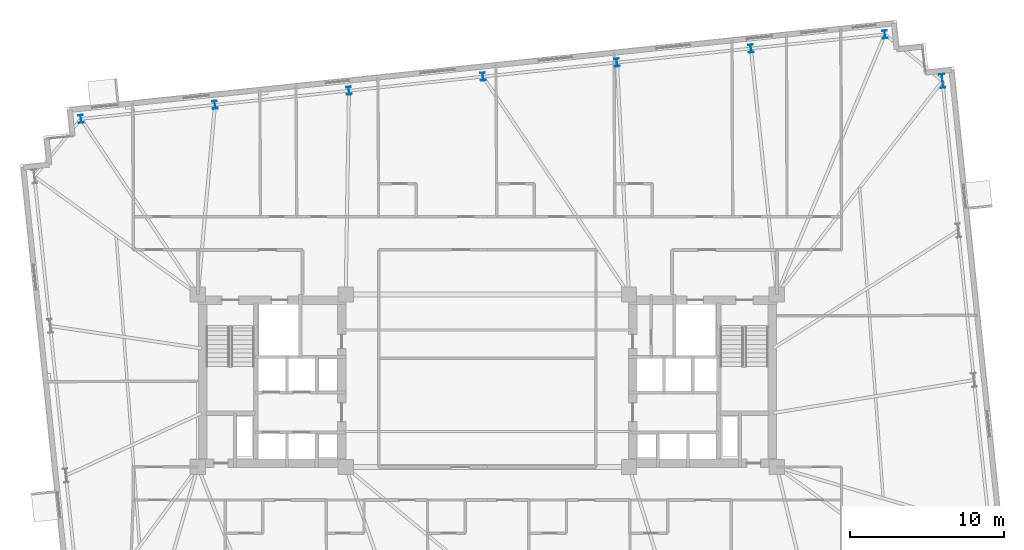
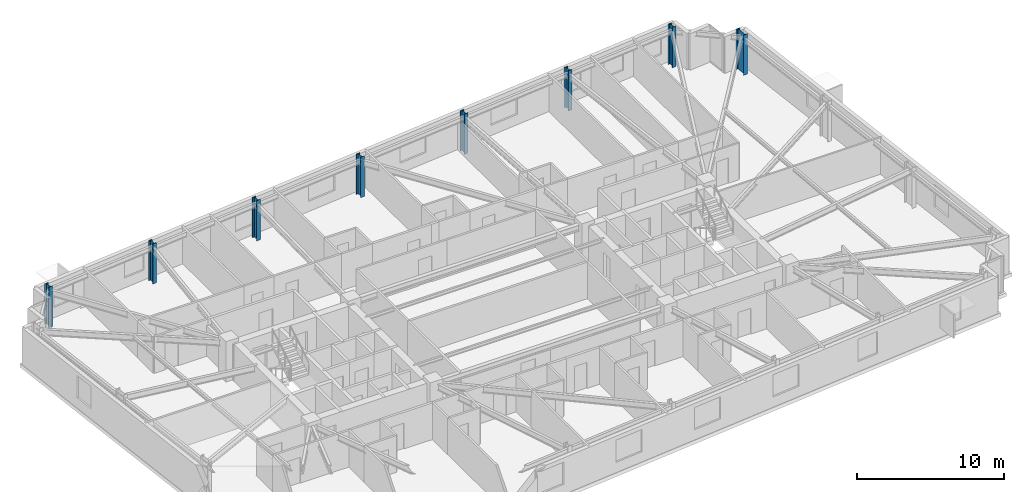
# One storey, part 3 of 19: 8 columns.
"""IFC4 building model written with IfcOpenShell, lengths in metres."""

from ifc_helpers import new_model, si_unit, direction, frame, origin, origin_2d, place, context, subcontext, project, spatial, i_section, extrude, material, material_profile, profile_set, type_object, element, save


model = new_model("IFC4")

# Units and contexts
model_context = context("Model", 3, precision=1e-05, world=origin(), true_north=direction((0.0, 1.0)))
body_context = subcontext(model_context, "Body", "Model", "MODEL_VIEW")
ifc_project = project(units=[si_unit("LENGTHUNIT", "METRE"), si_unit("AREAUNIT", "SQUARE_METRE"), si_unit("VOLUMEUNIT", "CUBIC_METRE"), si_unit("PLANEANGLEUNIT", "RADIAN"), si_unit("MASSUNIT", "GRAM", prefix="KILO")], contexts=[model_context])

# Site, building, storey
site_placement = place(None, origin())
site = spatial("IfcSite", under=ifc_project, at=site_placement, CompositionType="ELEMENT")
building_placement = place(site_placement, origin())
building = spatial("IfcBuilding", under=site, at=building_placement, Name="Qobustan Lattice House", CompositionType="ELEMENT")
storey_placement = place(building_placement, frame((0.0, 0.0, 115.85009765625)))
storey = spatial("IfcBuildingStorey", under=building, at=storey_placement, Name="L32", CompositionType="ELEMENT", Elevation=115.85009765625)

# Columns
ifc_material_1 = material(Name="Steel S355", Category="steel")
ifc_material_profile_1 = material_profile(ifc_material_1, i_section(OverallWidth=0.300048828125, OverallDepth=0.89990234375, WebThickness=0.0185546875, FlangeThickness=0.034912109375, FilletRadius=0.030029296875, at=origin_2d()), Name="HEB900")
ifc_profile_set_1 = profile_set([ifc_material_profile_1], Name="Steel S355")
column_type_1 = type_object("IfcColumnType", Name="COL-ST-HEB900", PredefinedType="COLUMN", material=ifc_profile_set_1)
column_placement = place(storey_placement, frame((29.55615234375, 19.468994140625, 0.0), z_axis=(0.0, 0.0, 1.0), x_axis=(0.994521895368, 0.104528463268, 0.0)))
element("IfcColumn", 1, at=column_placement, inside=storey, type_object=column_type_1, Name="L32 B2 perimeter column E4", PredefinedType="COLUMN", context=body_context, shape_type="SweptSolid", body=[
    extrude(i_section(OverallWidth=0.300048828125, OverallDepth=0.89990234375, WebThickness=0.0185546875, FlangeThickness=0.034912109375, FilletRadius=0.030029296875, at=origin_2d()), origin(), (0.0, 0.0, 1.0), 3.349853515625),
])
ifc_material_2 = material(Name="Steel S355", Category="steel")
ifc_material_profile_2 = material_profile(ifc_material_2, i_section(OverallWidth=0.305908203125, OverallDepth=0.52392578125, WebThickness=0.02099609375, FlangeThickness=0.0400390625, FilletRadius=0.027099609375, at=origin_2d()), Name="HEM500")
ifc_profile_set_2 = profile_set([ifc_material_profile_2], Name="Steel S355")
column_type_2 = type_object("IfcColumnType", Name="COL-ST-HEM500", PredefinedType="COLUMN", material=ifc_profile_set_2)
for number, where, z_axis, x_axis, name in (
    (2, (25.819580078125, 22.4951171875, 0.0), (0.0, 0.0, 1.0), (0.994521895368, 0.104528463268, 0.0), "L32 B2 perimeter column N1"),
    (3, (17.117431640625, 21.580322265625, 0.0), (0.0, 0.0, 1.0), (0.994521895368, 0.104528463268, 0.0), "L32 B2 perimeter column N2"),
    (4, (8.415283203125, 20.665771484375, 0.0), (0.0, 0.0, 1.0), (0.994521895368, 0.104528463268, 0.0), "L32 B2 perimeter column N3"),
    (5, (-0.28662109375, 19.751220703125, 0.0), (0.0, 0.0, 1.0), (0.994521895368, 0.104528463268, 0.0), "L32 B2 perimeter column N4"),
    (6, (-8.98876953125, 18.83642578125, 0.0), (0.0, 0.0, 1.0), (0.994521895368, 0.104528463268, 0.0), "L32 B2 perimeter column N5"),
    (7, (-17.69091796875, 17.921875, 0.0), (0.0, 0.0, 1.0), (0.994521895368, 0.104528463268, 0.0), "L32 B2 perimeter column N6"),
    (8, (-26.392822265625, 17.007080078125, 0.0), (0.0, 0.0, 1.0), (0.994521895368, 0.104528463268, 0.0), "L32 B2 perimeter column N7"),
):
    element("IfcColumn", number, at=place(storey_placement, frame(where, z_axis=z_axis, x_axis=x_axis)), inside=storey, type_object=column_type_2, Name=name, PredefinedType="COLUMN", context=body_context, shape_type="SweptSolid", body=[
        extrude(i_section(OverallWidth=0.305908203125, OverallDepth=0.52392578125, WebThickness=0.02099609375, FlangeThickness=0.0400390625, FilletRadius=0.027099609375, at=origin_2d()), origin(), (0.0, 0.0, 1.0), 3.349853515625),
    ])

save(model, "model.ifc")
